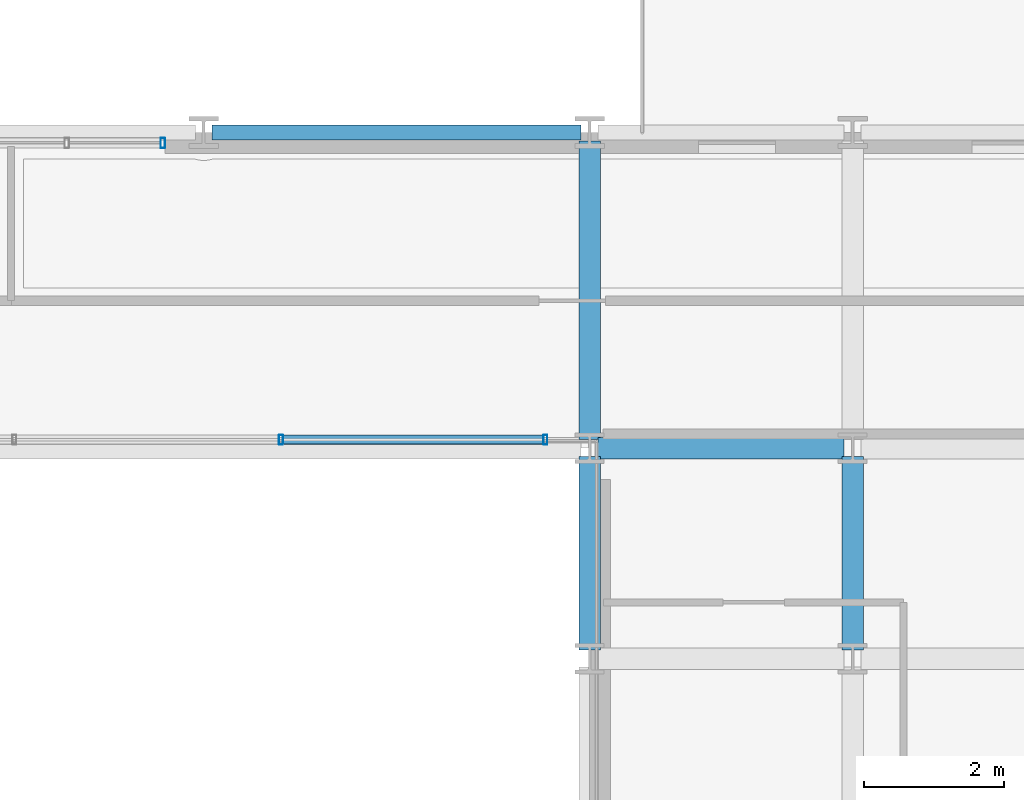
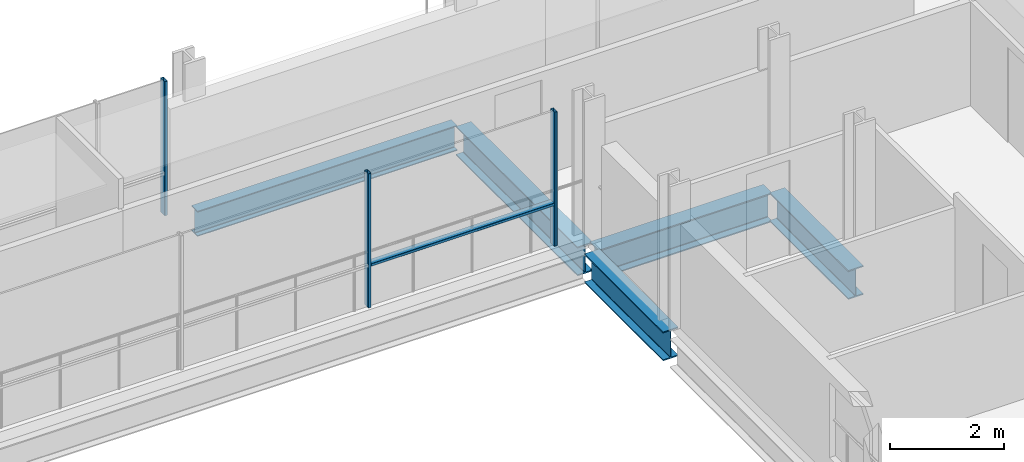
# One storey, part 17 of 38: 5 beams, 4 members, 2 elements without a shape of their own.
"""IFC4 building model written with IfcOpenShell, lengths in metres."""

from ifc_helpers import new_model, si_unit, direction, frame, origin, origin_2d, place, context, subcontext, project, spatial, hollow_rectangle, i_section, extrude, material, layer, layer_set, material_profile, profile_set, type_object, element, aggregate, save


model = new_model("IFC4")

# Units and contexts
model_context = context("Model", 3, precision=1e-05, world=origin(), true_north=direction((0.0, 1.0)))
body_context = subcontext(model_context, "Body", "Model", "MODEL_VIEW")
ifc_project = project(units=[si_unit("LENGTHUNIT", "METRE"), si_unit("AREAUNIT", "SQUARE_METRE"), si_unit("VOLUMEUNIT", "CUBIC_METRE"), si_unit("PLANEANGLEUNIT", "RADIAN"), si_unit("MASSUNIT", "GRAM", prefix="KILO")], contexts=[model_context])

# Site, building, storey
site_placement = place(None, origin())
site = spatial("IfcSite", under=ifc_project, at=site_placement, CompositionType="ELEMENT")
building_placement = place(site_placement, origin())
building = spatial("IfcBuilding", under=site, at=building_placement, Name="Brevholm Reach", CompositionType="ELEMENT")
storey_placement = place(building_placement, frame((0.0, 0.0, 71.39990234375)))
storey = spatial("IfcBuildingStorey", under=building, at=storey_placement, Name="L20", CompositionType="ELEMENT", Elevation=71.39990234375)

# Beams
ifc_material_1 = material(Name="Structural Steel S355J2", Category="steel")
ifc_material_profile_1 = material_profile(ifc_material_1, i_section(OverallWidth=0.210693359375, OverallDepth=0.53955078125, WebThickness=0.01171875, FlangeThickness=0.018798828125, FilletRadius=0.0126953125, at=origin_2d()), Name="UKB 533x210x109")
ifc_profile_set_1 = profile_set([ifc_material_profile_1], Name="Structural Steel S355J2")
beam_type_1 = type_object("IfcBeamType", Name="BM-SP539", PredefinedType="SPANDREL", material=ifc_profile_set_1)
beam_1_placement = place(storey_placement, frame((32.8701171875, 31.0, -0.499755859375), z_axis=(1.0, 0.0, 0.0), x_axis=(0.0, 1.0, 0.0)))
element("IfcBeam", 1, at=beam_1_placement, inside=storey, type_object=beam_type_1, Name="L20 SP-01B Framing Beam", PredefinedType="SPANDREL", context=body_context, shape_type="SweptSolid", body=[
    extrude(i_section(OverallWidth=0.210693359375, OverallDepth=0.53955078125, WebThickness=0.01171875, FlangeThickness=0.018798828125, FilletRadius=0.0126953125, at=origin_2d()), origin(), (0.0, 0.0, 1.0), 5.259765625),
])
ifc_material_2 = material(Name="Structural Steel S355J2", Category="steel")
ifc_material_profile_2 = material_profile(ifc_material_2, i_section(OverallWidth=0.30712890625, OverallDepth=0.6201171875, WebThickness=0.01416015625, FlangeThickness=0.023681640625, FilletRadius=0.0166015625, at=origin_2d()), Name="UKB 610x305x179")
ifc_profile_set_2 = profile_set([ifc_material_profile_2], Name="Structural Steel S355J2")
beam_type_2 = type_object("IfcBeamType", Name="BM-UKB610H", PredefinedType="USERDEFINED", material=ifc_profile_set_2)
beam_2_placement = place(storey_placement, frame((38.3701171875, 26.5, -0.5400390625), z_axis=(1.0, 0.0, 0.0), x_axis=(0.0, 1.0, 0.0)))
element("IfcBeam", 2, at=beam_2_placement, inside=storey, type_object=beam_type_2, Name="L20 G-06 Framing Beam", ObjectType="GIRDER", PredefinedType="USERDEFINED", context=body_context, shape_type="SweptSolid", body=[
    extrude(i_section(OverallWidth=0.30712890625, OverallDepth=0.6201171875, WebThickness=0.01416015625, FlangeThickness=0.023681640625, FilletRadius=0.0166015625, at=origin_2d()), origin(), (0.0, 0.0, 1.0), 3.509765625),
])
beam_3_placement = place(storey_placement, frame((38.25, 23.6201171875, -0.5400390625), z_axis=(0.0, 1.0, 0.0), x_axis=(-1.0, 0.0, 0.0)))
element("IfcBeam", 3, at=beam_3_placement, inside=storey, type_object=beam_type_2, Name="L20 G-06 Framing Beam", ObjectType="GIRDER", PredefinedType="USERDEFINED", context=body_context, shape_type="SweptSolid", body=[
    extrude(i_section(OverallWidth=0.30712890625, OverallDepth=0.6201171875, WebThickness=0.01416015625, FlangeThickness=0.023681640625, FilletRadius=0.0166015625, at=origin_2d()), origin(), (0.0, 0.0, 1.0), 2.759765625),
])
beam_4_placement = place(storey_placement, frame((38.25, 26.6201171875, -0.5400390625), z_axis=(0.0, 1.0, 0.0), x_axis=(-1.0, 0.0, 0.0)))
element("IfcBeam", 4, at=beam_4_placement, inside=storey, type_object=beam_type_2, Name="L20 G-06 Framing Beam", ObjectType="GIRDER", PredefinedType="USERDEFINED", context=body_context, shape_type="SweptSolid", body=[
    extrude(i_section(OverallWidth=0.30712890625, OverallDepth=0.6201171875, WebThickness=0.01416015625, FlangeThickness=0.023681640625, FilletRadius=0.0166015625, at=origin_2d()), origin(), (0.0, 0.0, 1.0), 4.259765625),
])
beam_5_placement = place(storey_placement, frame((42.0, 23.6201171875, -0.5400390625), z_axis=(0.0, 1.0, 0.0), x_axis=(-1.0, 0.0, 0.0)))
element("IfcBeam", 5, at=beam_5_placement, inside=storey, type_object=beam_type_2, Name="L20 G-06 Framing Beam", ObjectType="GIRDER", PredefinedType="USERDEFINED", context=body_context, shape_type="SweptSolid", body=[
    extrude(i_section(OverallWidth=0.30712890625, OverallDepth=0.6201171875, WebThickness=0.01416015625, FlangeThickness=0.023681640625, FilletRadius=0.0166015625, at=origin_2d()), origin(), (0.0, 0.0, 1.0), 2.759765625),
])

# Curtain wall, members
ifc_material_3 = material(Name="Dark Anodised Aluminium 6063-T6 and Solar-Control Glass", Category="aluminium")
ifc_layer_1 = layer(ifc_material_3, 0.139892578125)
ifc_layer_set_1 = layer_set([ifc_layer_1], Name="Dark Anodised Aluminium 6063-T6 and Solar-Control Glass")
curtain_wall_type_1 = type_object("IfcCurtainWallType", Name="CW-02", PredefinedType="NOTDEFINED", material=ifc_layer_set_1)
curtain_wall_1_placement = place(storey_placement, origin())
curtain_wall_1 = element("IfcCurtainWall", 6, at=curtain_wall_1_placement, inside=storey, type_object=curtain_wall_type_1, Name="L20 Curtain Wall CW-02", PredefinedType="NOTDEFINED")
ifc_material_4 = material(Name="Dark Anodised Aluminium 6063-T6", Category="aluminium")
ifc_material_profile_3 = material_profile(ifc_material_4, hollow_rectangle(XDim=0.06005859375, YDim=0.139892578125, WallThickness=0.0048828125, InnerFilletRadius=0.0048828125, OuterFilletRadius=0.010009765625, at=origin_2d()), Name="RHS 140x60x5")
ifc_profile_set_3 = profile_set([ifc_material_profile_3], Name="Dark Anodised Aluminium 6063-T6")
member_type_1 = type_object("IfcMemberType", Name="CWM-140", PredefinedType="MULLION", material=ifc_profile_set_3)
member_1_placement = place(storey_placement, frame((37.6201171875, 26.6201171875, 0.0), z_axis=(0.0, 0.0, 1.0), x_axis=(-1.0, 0.0, 0.0)))
member_1 = element("IfcMember", 7, at=member_1_placement, type_object=member_type_1, Name="CM-140 Mullion 1", PredefinedType="MULLION", context=body_context, shape_type="SweptSolid", body=[
    extrude(hollow_rectangle(XDim=0.06005859375, YDim=0.139892578125, WallThickness=0.0048828125, InnerFilletRadius=0.0048828125, OuterFilletRadius=0.010009765625, at=origin_2d()), origin(), (0.0, 0.0, 1.0), 2.8701171875),
])
member_2_placement = place(storey_placement, frame((33.85009765625, 26.6201171875, 0.0), z_axis=(0.0, 0.0, 1.0), x_axis=(-1.0, 0.0, 0.0)))
member_2 = element("IfcMember", 8, at=member_2_placement, type_object=member_type_1, Name="CM-140 Mullion 2", PredefinedType="MULLION", context=body_context, shape_type="SweptSolid", body=[
    extrude(hollow_rectangle(XDim=0.06005859375, YDim=0.139892578125, WallThickness=0.0048828125, InnerFilletRadius=0.0048828125, OuterFilletRadius=0.010009765625, at=origin_2d()), origin(), (0.0, 0.0, 1.0), 2.8701171875),
])

# Curtain wall, member
ifc_material_5 = material(Name="Dark Anodised Aluminium 6063-T6 and Solar-Control Glass", Category="aluminium")
ifc_layer_2 = layer(ifc_material_5, 0.14990234375)
ifc_layer_set_2 = layer_set([ifc_layer_2], Name="Dark Anodised Aluminium 6063-T6 and Solar-Control Glass")
curtain_wall_type_2 = type_object("IfcCurtainWallType", Name="CW-01", PredefinedType="NOTDEFINED", material=ifc_layer_set_2)
curtain_wall_2_placement = place(storey_placement, origin())
curtain_wall_2 = element("IfcCurtainWall", 9, at=curtain_wall_2_placement, inside=storey, type_object=curtain_wall_type_2, Name="L20 Curtain Wall CW-01", PredefinedType="NOTDEFINED")
ifc_material_6 = material(Name="Dark Anodised Aluminium 6063-T6", Category="aluminium")
ifc_material_profile_4 = material_profile(ifc_material_6, hollow_rectangle(XDim=0.06494140625, YDim=0.14990234375, WallThickness=0.0048828125, InnerFilletRadius=0.0048828125, OuterFilletRadius=0.010009765625, at=origin_2d()), Name="RHS 150x65x5")
ifc_profile_set_4 = profile_set([ifc_material_profile_4], Name="Dark Anodised Aluminium 6063-T6")
member_type_2 = type_object("IfcMemberType", Name="CWM-150", PredefinedType="MULLION", material=ifc_profile_set_4)
member_3_placement = place(storey_placement, frame((32.16748046875, 30.85009765625, 0.0), z_axis=(0.0, 0.0, 1.0), x_axis=(1.0, 0.0, 0.0)))
member_3 = element("IfcMember", 10, at=member_3_placement, type_object=member_type_2, Name="CM-150 Mullion 3", PredefinedType="MULLION", context=body_context, shape_type="SweptSolid", body=[
    extrude(hollow_rectangle(XDim=0.06494140625, YDim=0.14990234375, WallThickness=0.0048828125, InnerFilletRadius=0.0048828125, OuterFilletRadius=0.010009765625, at=origin_2d()), origin(), (0.0, 0.0, 1.0), 2.8701171875),
])
aggregate(curtain_wall_2, [member_3])

# Member
ifc_material_7 = material(Name="Dark Anodised Aluminium 6063-T6", Category="aluminium")
ifc_material_profile_5 = material_profile(ifc_material_7, hollow_rectangle(XDim=0.06005859375, YDim=0.139892578125, WallThickness=0.0048828125, InnerFilletRadius=0.0048828125, OuterFilletRadius=0.010009765625, at=origin_2d()), Name="RHS 140x60x5")
ifc_profile_set_5 = profile_set([ifc_material_profile_5], Name="Dark Anodised Aluminium 6063-T6")
member_type_3 = type_object("IfcMemberType", Name="CWT-140", PredefinedType="NOTDEFINED", material=ifc_profile_set_5)
member_4_placement = place(storey_placement, frame((37.590087890625, 26.6201171875, 0.900146484375), z_axis=(-1.0, 0.0, 0.0), x_axis=(0.0, 0.0, 1.0)))
member_4 = element("IfcMember", 11, at=member_4_placement, type_object=member_type_3, Name="CT-140 Transom 1.1", ObjectType="TRANSOM", PredefinedType="USERDEFINED", context=body_context, shape_type="SweptSolid", body=[
    extrude(hollow_rectangle(XDim=0.06005859375, YDim=0.139892578125, WallThickness=0.0048828125, InnerFilletRadius=0.0048828125, OuterFilletRadius=0.010009765625, at=origin_2d()), origin(), (0.0, 0.0, 1.0), 3.710205078125),
])

aggregate(curtain_wall_1, [member_1, member_2, member_4])

save(model, "model.ifc")
